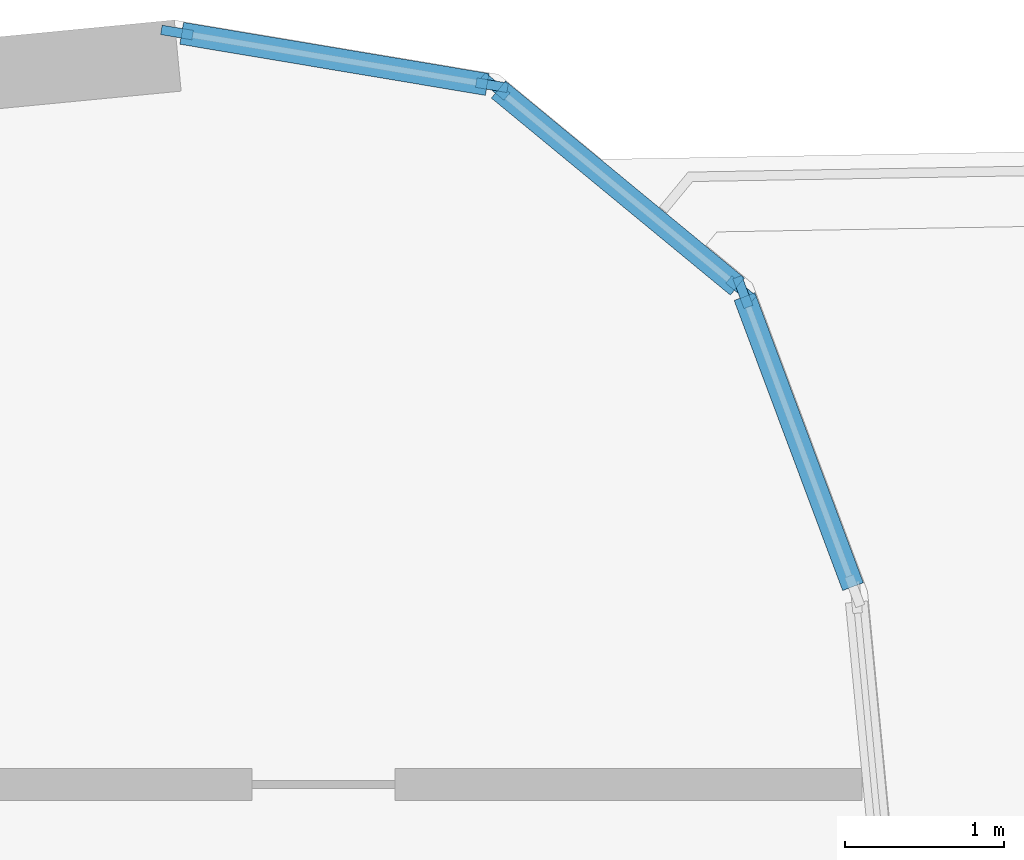
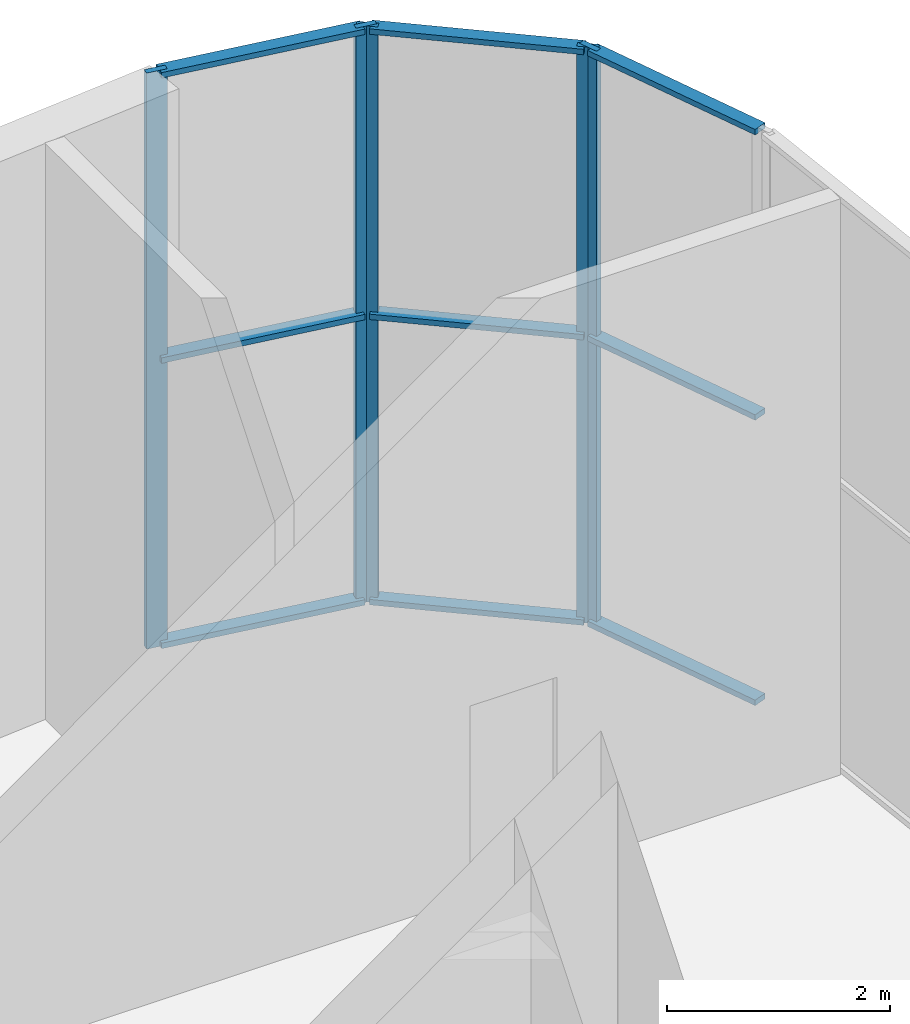
# One storey, part 8 of 24: 14 members, 3 elements without a shape of their own.
"""IFC4 building model written with IfcOpenShell, lengths in metres."""

from ifc_helpers import new_model, si_unit, direction, frame, origin, origin_2d, place, context, subcontext, project, spatial, rectangle, extrude, material, material_profile, profile_set, type_object, element, aggregate, save


model = new_model("IFC4")

# Units and contexts
model_context = context("Model", 3, precision=1e-05, world=origin(), true_north=direction((0.0, 1.0)))
body_context = subcontext(model_context, "Body", "Model", "MODEL_VIEW")
ifc_project = project(units=[si_unit("LENGTHUNIT", "METRE"), si_unit("AREAUNIT", "SQUARE_METRE"), si_unit("VOLUMEUNIT", "CUBIC_METRE"), si_unit("PLANEANGLEUNIT", "RADIAN"), si_unit("MASSUNIT", "GRAM", prefix="KILO")], contexts=[model_context])

# Site, building, storey
site_placement = place(None, origin())
site = spatial("IfcSite", under=ifc_project, at=site_placement, CompositionType="ELEMENT")
building_placement = place(site_placement, origin())
building = spatial("IfcBuilding", under=site, at=building_placement, Name="Kajstack Hotel Tower", CompositionType="ELEMENT")
storey_placement = place(building_placement, frame((0.0, 0.0, 261.89990234375)))
storey = spatial("IfcBuildingStorey", under=building, at=storey_placement, Name="L65", CompositionType="ELEMENT", Elevation=261.89990234375)

# Curtain wall, member
ifc_material_1 = material(Name="Aluminium-framed curtain wall, low-iron insulated glass", Category="aluminium")
curtain_wall_type = type_object("IfcCurtainWallType", Name="CW-GARDEN", PredefinedType="NOTDEFINED", material=ifc_material_1)
curtain_wall_1_placement = place(storey_placement, origin())
curtain_wall_1 = element("IfcCurtainWall", 1, at=curtain_wall_1_placement, inside=storey, type_object=curtain_wall_type, Name="Curtain wall CU6 L65-09-00-0", PredefinedType="NOTDEFINED")
ifc_material_2 = material(Name="Aluminium", Category="aluminium")
ifc_material_profile_1 = material_profile(ifc_material_2, rectangle(XDim=0.06005859375, YDim=0.199951171875, at=origin_2d()), Name="Aluminium mullion 60 x 200")
ifc_profile_set_1 = profile_set([ifc_material_profile_1], Name="Aluminium")
member_type_1 = type_object("IfcMemberType", Name="CW-M-GARDEN", PredefinedType="MULLION", material=ifc_profile_set_1)
member_1_placement = place(storey_placement, frame((34.50439453125, 20.9013671875, 0.0), z_axis=(0.0, 0.0, 1.0), x_axis=(-0.936674082046, -0.3502023187, 0.0)))
member_1 = element("IfcMember", 2, at=member_1_placement, type_object=member_type_1, Name="CU6 mullion 2", PredefinedType="MULLION", context=body_context, shape_type="SweptSolid", body=[
    extrude(rectangle(XDim=0.06005859375, YDim=0.199951171875, at=origin_2d()), origin(), (0.0, 0.0, 1.0), 6.320068359375),
])

# Curtain wall, members
curtain_wall_2_placement = place(storey_placement, origin())
curtain_wall_2 = element("IfcCurtainWall", 3, at=curtain_wall_2_placement, inside=storey, type_object=curtain_wall_type, Name="Curtain wall CU6 L65-10-00-0", PredefinedType="NOTDEFINED")
member_2_placement = place(storey_placement, frame((34.4931640625, 20.9169921875, 0.0), z_axis=(0.0, 0.0, 1.0), x_axis=(-0.636094828048, -0.771610892698, 0.0)))
member_2 = element("IfcMember", 4, at=member_2_placement, type_object=member_type_1, Name="CU6 mullion 1", PredefinedType="MULLION", context=body_context, shape_type="SweptSolid", body=[
    extrude(rectangle(XDim=0.06005859375, YDim=0.199951171875, at=origin_2d()), origin(), (0.0, 0.0, 1.0), 6.320068359375),
])
member_3_placement = place(storey_placement, frame((32.94189453125, 22.196044921875, 0.0), z_axis=(0.0, 0.0, 1.0), x_axis=(-0.636094828048, -0.771610892698, 0.0)))
member_3 = element("IfcMember", 5, at=member_3_placement, type_object=member_type_1, Name="CU6 mullion 2", PredefinedType="MULLION", context=body_context, shape_type="SweptSolid", body=[
    extrude(rectangle(XDim=0.06005859375, YDim=0.199951171875, at=origin_2d()), origin(), (0.0, 0.0, 1.0), 6.320068359375),
])

curtain_wall_3_placement = place(storey_placement, origin())
curtain_wall_3 = element("IfcCurtainWall", 6, at=curtain_wall_3_placement, inside=storey, type_object=curtain_wall_type, Name="Curtain wall CU6 L65-11-00-0", PredefinedType="NOTDEFINED")
member_4_placement = place(storey_placement, frame((32.92431640625, 22.203857421875, 0.0), z_axis=(0.0, 0.0, 1.0), x_axis=(-0.16503335054, -0.986287986954, 0.0)))
member_4 = element("IfcMember", 7, at=member_4_placement, type_object=member_type_1, Name="CU6 mullion 1", PredefinedType="MULLION", context=body_context, shape_type="SweptSolid", body=[
    extrude(rectangle(XDim=0.06005859375, YDim=0.199951171875, at=origin_2d()), origin(), (0.0, 0.0, 1.0), 6.320068359375),
])
member_5_placement = place(storey_placement, frame((30.94140625, 22.53564453125, 0.0), z_axis=(0.0, 0.0, 1.0), x_axis=(-0.16503335054, -0.986287986954, 0.0)))
member_5 = element("IfcMember", 8, at=member_5_placement, type_object=member_type_1, Name="CU6 mullion 2", PredefinedType="MULLION", context=body_context, shape_type="SweptSolid", body=[
    extrude(rectangle(XDim=0.06005859375, YDim=0.199951171875, at=origin_2d()), origin(), (0.0, 0.0, 1.0), 6.320068359375),
])

# Member
ifc_material_profile_2 = material_profile(ifc_material_2, rectangle(XDim=0.139892578125, YDim=0.06005859375, at=origin_2d()), Name="Aluminium transom 140 x 60")
ifc_profile_set_2 = profile_set([ifc_material_profile_2], Name="Aluminium")
member_type_2 = type_object("IfcMemberType", Name="CW-T-GARDEN", PredefinedType="USERDEFINED", material=ifc_profile_set_2)
member_6_placement = place(storey_placement, frame((35.197998046875, 19.04638671875, 0.030029296875), z_axis=(-0.350231645231, 0.936663116963, 0.0), x_axis=(-0.936663116963, -0.350231645231, 0.0)))
member_6 = element("IfcMember", 9, at=member_6_placement, type_object=member_type_2, Name="CU6 transom 1.1", ObjectType="TRANSOM", PredefinedType="USERDEFINED", context=body_context, shape_type="SweptSolid", body=[
    extrude(rectangle(XDim=0.139892578125, YDim=0.06005859375, at=origin_2d()), origin(), (0.0, 0.0, 1.0), 1.950439453125),
])

member_7_placement = place(storey_placement, frame((35.197998046875, 19.04638671875, 3.16015625), z_axis=(-0.350231645231, 0.936663116963, 0.0), x_axis=(-0.936663116963, -0.350231645231, 0.0)))
member_7 = element("IfcMember", 10, at=member_7_placement, type_object=member_type_2, Name="CU6 transom 1.2", ObjectType="TRANSOM", PredefinedType="USERDEFINED", context=body_context, shape_type="SweptSolid", body=[
    extrude(rectangle(XDim=0.139892578125, YDim=0.06005859375, at=origin_2d()), origin(), (0.0, 0.0, 1.0), 1.950439453125),
])

member_8_placement = place(storey_placement, frame((35.197998046875, 19.04638671875, 6.2900390625), z_axis=(-0.350231645231, 0.936663116963, 0.0), x_axis=(-0.936663116963, -0.350231645231, 0.0)))
member_8 = element("IfcMember", 11, at=member_8_placement, type_object=member_type_2, Name="CU6 transom 1.3", ObjectType="TRANSOM", PredefinedType="USERDEFINED", context=body_context, shape_type="SweptSolid", body=[
    extrude(rectangle(XDim=0.139892578125, YDim=0.06005859375, at=origin_2d()), origin(), (0.0, 0.0, 1.0), 1.950439453125),
])

aggregate(curtain_wall_1, [member_1, member_6, member_7, member_8])

member_9_placement = place(storey_placement, frame((34.47021484375, 20.93603515625, 0.030029296875), z_axis=(-0.771626660907, 0.636075700037, 0.0), x_axis=(-0.636075700037, -0.771626660907, 0.0)))
member_9 = element("IfcMember", 12, at=member_9_placement, type_object=member_type_2, Name="CU6 transom 1.1", ObjectType="TRANSOM", PredefinedType="USERDEFINED", context=body_context, shape_type="SweptSolid", body=[
    extrude(rectangle(XDim=0.139892578125, YDim=0.06005859375, at=origin_2d()), origin(), (0.0, 0.0, 1.0), 1.95068359375),
])

member_10_placement = place(storey_placement, frame((34.47021484375, 20.93603515625, 3.16015625), z_axis=(-0.771626660907, 0.636075700037, 0.0), x_axis=(-0.636075700037, -0.771626660907, 0.0)))
member_10 = element("IfcMember", 13, at=member_10_placement, type_object=member_type_2, Name="CU6 transom 1.2", ObjectType="TRANSOM", PredefinedType="USERDEFINED", context=body_context, shape_type="SweptSolid", body=[
    extrude(rectangle(XDim=0.139892578125, YDim=0.06005859375, at=origin_2d()), origin(), (0.0, 0.0, 1.0), 1.95068359375),
])

member_11_placement = place(storey_placement, frame((34.47021484375, 20.93603515625, 6.2900390625), z_axis=(-0.771626660907, 0.636075700037, 0.0), x_axis=(-0.636075700037, -0.771626660907, 0.0)))
member_11 = element("IfcMember", 14, at=member_11_placement, type_object=member_type_2, Name="CU6 transom 1.3", ObjectType="TRANSOM", PredefinedType="USERDEFINED", context=body_context, shape_type="SweptSolid", body=[
    extrude(rectangle(XDim=0.139892578125, YDim=0.06005859375, at=origin_2d()), origin(), (0.0, 0.0, 1.0), 1.95068359375),
])

aggregate(curtain_wall_2, [member_2, member_3, member_9, member_10, member_11])

member_12_placement = place(storey_placement, frame((32.894775390625, 22.208740234375, 0.030029296875), z_axis=(-0.986275256611, 0.165109412802, 0.0), x_axis=(-0.165109412802, -0.986275256611, 0.0)))
member_12 = element("IfcMember", 15, at=member_12_placement, type_object=member_type_2, Name="CU6 transom 1.1", ObjectType="TRANSOM", PredefinedType="USERDEFINED", context=body_context, shape_type="SweptSolid", body=[
    extrude(rectangle(XDim=0.139892578125, YDim=0.06005859375, at=origin_2d()), origin(), (0.0, 0.0, 1.0), 1.950439453125),
])

member_13_placement = place(storey_placement, frame((32.894775390625, 22.208740234375, 3.16015625), z_axis=(-0.986275256611, 0.165109412802, 0.0), x_axis=(-0.165109412802, -0.986275256611, 0.0)))
member_13 = element("IfcMember", 16, at=member_13_placement, type_object=member_type_2, Name="CU6 transom 1.2", ObjectType="TRANSOM", PredefinedType="USERDEFINED", context=body_context, shape_type="SweptSolid", body=[
    extrude(rectangle(XDim=0.139892578125, YDim=0.06005859375, at=origin_2d()), origin(), (0.0, 0.0, 1.0), 1.950439453125),
])

member_14_placement = place(storey_placement, frame((32.894775390625, 22.208740234375, 6.2900390625), z_axis=(-0.986275256611, 0.165109412802, 0.0), x_axis=(-0.165109412802, -0.986275256611, 0.0)))
member_14 = element("IfcMember", 17, at=member_14_placement, type_object=member_type_2, Name="CU6 transom 1.3", ObjectType="TRANSOM", PredefinedType="USERDEFINED", context=body_context, shape_type="SweptSolid", body=[
    extrude(rectangle(XDim=0.139892578125, YDim=0.06005859375, at=origin_2d()), origin(), (0.0, 0.0, 1.0), 1.950439453125),
])

aggregate(curtain_wall_3, [member_4, member_5, member_12, member_13, member_14])

save(model, "model.ifc")
